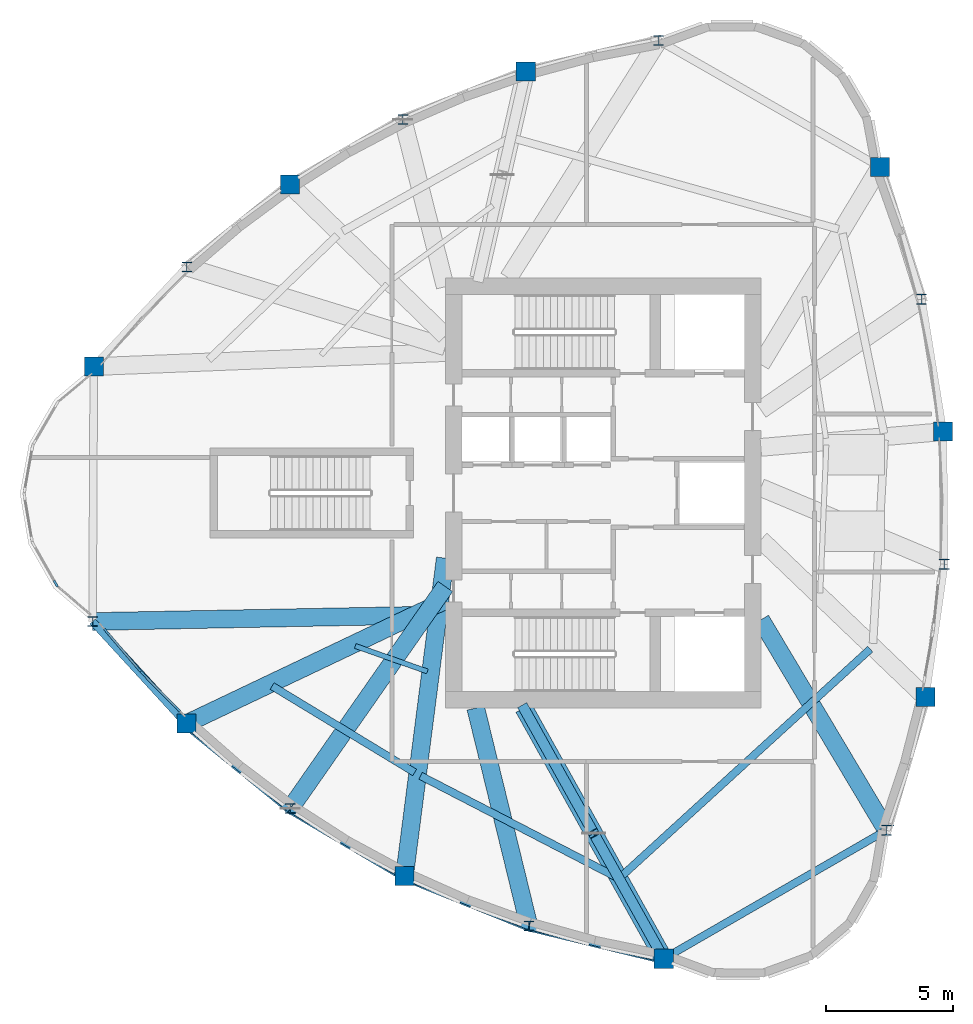
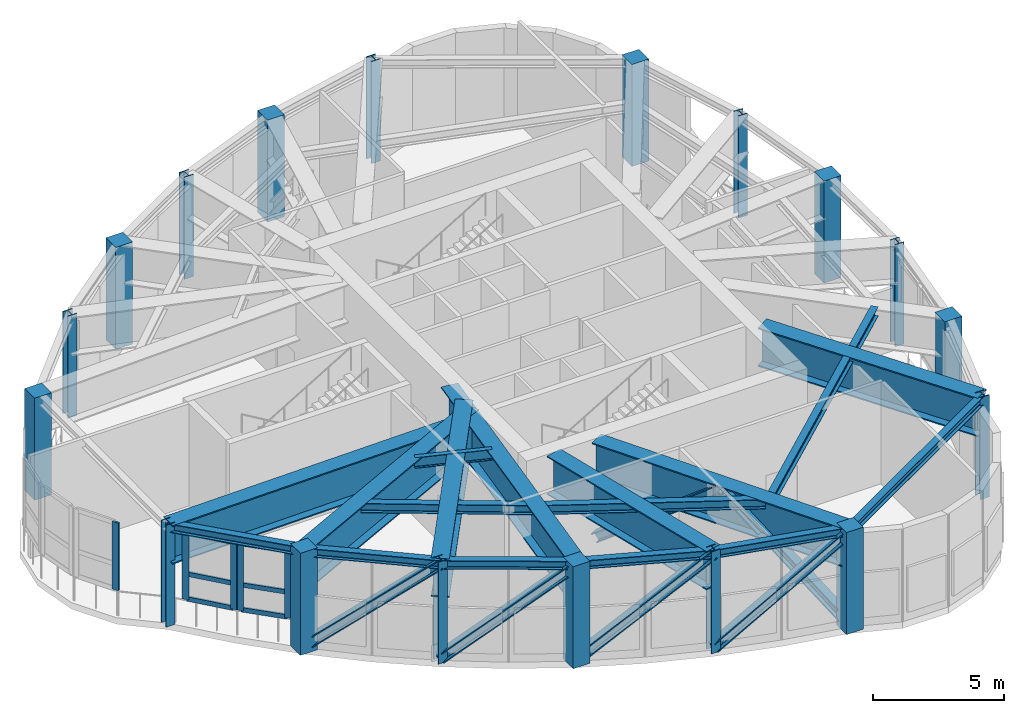
# One storey, part 1 of 10: 18 columns, 17 beams, 17 members, 3 elements without a shape of their own.
"""IFC4 building model written with IfcOpenShell, lengths in metres."""

from ifc_helpers import new_model, si_unit, direction, frame, origin, origin_2d, place, context, subcontext, project, spatial, rectangle, i_section, extrude, source, transform, mapped, material, layer, layer_set, material_profile, profile_set, type_object, element, aggregate, save


model = new_model("IFC4")

# Units and contexts
model_context = context("Model", 3, precision=1e-05, world=origin(), true_north=direction((0.0, 1.0)))
body_context = subcontext(model_context, "Body", "Model", "MODEL_VIEW")
ifc_project = project(units=[si_unit("LENGTHUNIT", "METRE"), si_unit("AREAUNIT", "SQUARE_METRE"), si_unit("VOLUMEUNIT", "CUBIC_METRE"), si_unit("PLANEANGLEUNIT", "RADIAN"), si_unit("MASSUNIT", "GRAM", prefix="KILO")], contexts=[model_context])

# Site, building, storey
site_placement = place(None, origin())
site = spatial("IfcSite", under=ifc_project, at=site_placement, CompositionType="ELEMENT")
building_placement = place(site_placement, origin())
building = spatial("IfcBuilding", under=site, at=building_placement, Name="Qafzar Sky-Pleat Residences", CompositionType="ELEMENT")
storey_placement = place(building_placement, frame((0.0, 0.0, 190.60009765625)))
storey = spatial("IfcBuildingStorey", under=building, at=storey_placement, Name="L57", CompositionType="ELEMENT", Elevation=190.60009765625)

# Columns
ifc_material_1 = material(Name="Concrete C60/75", Category="concrete")
ifc_material_profile_1 = material_profile(ifc_material_1, rectangle(XDim=0.75, YDim=0.75, at=origin_2d()), Name="RC 750x750")
ifc_profile_set_1 = profile_set([ifc_material_profile_1], Name="Concrete C60/75")
column_type_1 = type_object("IfcColumnType", Name="COL-RC-750", PredefinedType="COLUMN", material=ifc_profile_set_1)
shared_shape_1 = source(origin(), body_context, "Body", "SweptSolid", [
    extrude(rectangle(XDim=0.75, YDim=0.75, at=origin_2d()), origin(), (0.0, 0.0, 1.0), 4.760009765625),
])
for number, where, z_axis, x_axis, name in (
    (1, (10.338134765625, 30.967041015625, 0.0), (0.0, 0.0, 1.0), (1.0, 0.0, 0.0), "L57 Perimeter Mega Column 1"),
    (2, (13.97265625, 16.934814453125, 0.0), (0.0, 0.0, 1.0), (1.0, 0.0, 0.0), "L57 Perimeter Mega Column 3"),
    (3, (22.547607421875, 10.951904296875, 0.0), (0.0, 0.0, 1.0), (1.0, 0.0, 0.0), "L57 Perimeter Mega Column 5"),
    (4, (32.734130859375, 7.698486328125, 0.0), (0.0, 0.0, 1.0), (1.0, 0.0, 0.0), "L57 Perimeter Mega Column 7"),
    (5, (43.0166015625, 17.977294921875, 0.0), (0.0, 0.0, 1.0), (1.0, 0.0, 0.0), "L57 Perimeter Mega Column 9"),
    (6, (43.70751953125, 28.410400390625, 0.0), (0.0, 0.0, 1.0), (1.0, 0.0, 0.0), "L57 Perimeter Mega Column 11"),
    (7, (41.22900390625, 38.8125, 0.0), (0.0, 0.0, 1.0), (1.0, 0.0, 0.0), "L57 Perimeter Mega Column 13"),
    (8, (27.312255859375, 42.56591796875, 0.0), (0.0, 0.0, 1.0), (1.0, 0.0, 0.0), "L57 Perimeter Mega Column 15"),
    (9, (18.046142578125, 38.11572265625, 0.0), (0.0, 0.0, 1.0), (1.0, 0.0, 0.0), "L57 Perimeter Mega Column 17"),
):
    element("IfcColumn", number, at=place(storey_placement, frame(where, z_axis=z_axis, x_axis=x_axis)), inside=storey, type_object=column_type_1, Name=name, PredefinedType="COLUMN", context=body_context, shape_type="MappedRepresentation", body=[
        mapped(shared_shape_1, transform((0.0, 0.0, 0.0), x_axis=(1.0, 0.0, 0.0), y_axis=(0.0, 1.0, 0.0), z_axis=(0.0, 0.0, 1.0), scale=1.0)),
    ])
ifc_material_2 = material(Name="Steel S355", Category="steel")
ifc_material_profile_2 = material_profile(ifc_material_2, i_section(OverallWidth=0.40087890625, OverallDepth=0.39892578125, WebThickness=0.02294921875, FlangeThickness=0.035888671875, FilletRadius=0.014892578125, at=origin_2d()), Name="HD 400x314")
ifc_profile_set_2 = profile_set([ifc_material_profile_2], Name="Steel S355")
column_type_2 = type_object("IfcColumnType", Name="COL-STL-HD314", PredefinedType="PILASTER", material=ifc_profile_set_2)
shared_shape_2 = source(origin(), body_context, "Body", "SweptSolid", [
    extrude(i_section(OverallWidth=0.40087890625, OverallDepth=0.39892578125, WebThickness=0.02294921875, FlangeThickness=0.035888671875, FilletRadius=0.014892578125, at=origin_2d()), origin(), (0.0, 0.0, 1.0), 4.760009765625),
])
for number, where, z_axis, x_axis, name in (
    (10, (10.289306640625, 20.94970703125, 0.0), (0.0, 0.0, 1.0), (1.0, 0.0, 0.0), "L57 Perimeter Mega Column 2"),
    (11, (18.058837890625, 13.60205078125, 0.0), (0.0, 0.0, 1.0), (1.0, 0.0, 0.0), "L57 Perimeter Mega Column 4"),
    (12, (27.439453125, 8.98388671875, 0.0), (0.0, 0.0, 1.0), (1.0, 0.0, 0.0), "L57 Perimeter Mega Column 6"),
    (13, (41.482666015625, 12.749267578125, 0.0), (0.0, 0.0, 1.0), (1.0, 0.0, 0.0), "L57 Perimeter Mega Column 8"),
    (14, (43.75830078125, 23.19775390625, 0.0), (0.0, 0.0, 1.0), (1.0, 0.0, 0.0), "L57 Perimeter Mega Column 10"),
    (15, (42.864501953125, 33.615478515625, 0.0), (0.0, 0.0, 1.0), (1.0, 0.0, 0.0), "L57 Perimeter Mega Column 12"),
    (16, (32.529296875, 43.779052734375, 0.0), (0.0, 0.0, 1.0), (1.0, 0.0, 0.0), "L57 Perimeter Mega Column 14"),
    (17, (22.484375, 40.677978515625, 0.0), (0.0, 0.0, 1.0), (1.0, 0.0, 0.0), "L57 Perimeter Mega Column 16"),
    (18, (13.997314453125, 34.878662109375, 0.0), (0.0, 0.0, 1.0), (1.0, 0.0, 0.0), "L57 Perimeter Mega Column 18"),
):
    element("IfcColumn", number, at=place(storey_placement, frame(where, z_axis=z_axis, x_axis=x_axis)), inside=storey, type_object=column_type_2, Name=name, PredefinedType="PILASTER", context=body_context, shape_type="MappedRepresentation", body=[
        mapped(shared_shape_2, transform((0.0, 0.0, 0.0), x_axis=(1.0, 0.0, 0.0), y_axis=(0.0, 1.0, 0.0), z_axis=(0.0, 0.0, 1.0), scale=1.0)),
    ])

# Beams
ifc_material_profile_3 = material_profile(ifc_material_2, i_section(OverallWidth=0.300048828125, OverallDepth=0.39990234375, WebThickness=0.013427734375, FlangeThickness=0.02392578125, FilletRadius=0.027099609375, at=origin_2d()), Name="HEB 400")
ifc_profile_set_3 = profile_set([ifc_material_profile_3], Name="Steel S355")
beam_type_1 = type_object("IfcBeamType", Name="BM-SPAN-HEB400", PredefinedType="SPANDREL", material=ifc_profile_set_3)
shared_shape_3 = source(origin(), body_context, "Body", "SweptSolid", [
    extrude(i_section(OverallWidth=0.300048828125, OverallDepth=0.39990234375, WebThickness=0.013427734375, FlangeThickness=0.02392578125, FilletRadius=0.027099609375, at=origin_2d()), origin(), (0.0, 0.0, 1.0), 5.448486328125),
])
for number, where, z_axis, x_axis, name in (
    (19, (10.289306640625, 20.94970703125, 4.557861328125), (0.67602690272, -0.736876941422, 0.0), (0.736876941422, 0.67602690272, 0.0), "L57 Perimeter Spandrel Beam 2"),
    (20, (27.439453125, 8.98388671875, 4.557861328125), (0.971772638207, -0.235919349848, 0.0), (0.235919349848, 0.971772638207, 0.0), "L57 Perimeter Spandrel Beam 6"),
):
    element("IfcBeam", number, at=place(storey_placement, frame(where, z_axis=z_axis, x_axis=x_axis)), inside=storey, type_object=beam_type_1, Name=name, PredefinedType="SPANDREL", context=body_context, shape_type="MappedRepresentation", body=[
        mapped(shared_shape_3, transform((0.0, 0.0, 0.0), x_axis=(1.0, 0.0, 0.0), y_axis=(0.0, 1.0, 0.0), z_axis=(0.0, 0.0, 1.0), scale=1.0)),
    ])
shared_shape_4 = source(origin(), body_context, "Body", "SweptSolid", [
    extrude(i_section(OverallWidth=0.300048828125, OverallDepth=0.39990234375, WebThickness=0.013427734375, FlangeThickness=0.02392578125, FilletRadius=0.027099609375, at=origin_2d()), origin(), (0.0, 0.0, 1.0), 5.27294921875),
])
for number, where, z_axis, x_axis, name in (
    (21, (13.97265625, 16.934814453125, 4.557861328125), (0.774930068273, -0.632046983449, 0.0), (0.632046983449, 0.774930068273, 0.0), "L57 Perimeter Spandrel Beam 3"),
    (22, (22.547607421875, 10.951904296875, 4.557861328125), (0.927737233532, -0.373234009058, 0.0), (0.373234009058, 0.927737233532, 0.0), "L57 Perimeter Spandrel Beam 5"),
):
    element("IfcBeam", number, at=place(storey_placement, frame(where, z_axis=z_axis, x_axis=x_axis)), inside=storey, type_object=beam_type_1, Name=name, PredefinedType="SPANDREL", context=body_context, shape_type="MappedRepresentation", body=[
        mapped(shared_shape_4, transform((0.0, 0.0, 0.0), x_axis=(1.0, 0.0, 0.0), y_axis=(0.0, 1.0, 0.0), z_axis=(0.0, 0.0, 1.0), scale=1.0)),
    ])
shared_shape_5 = source(origin(), body_context, "Body", "SweptSolid", [
    extrude(i_section(OverallWidth=0.300048828125, OverallDepth=0.39990234375, WebThickness=0.013427734375, FlangeThickness=0.02392578125, FilletRadius=0.027099609375, at=origin_2d()), origin(), (0.0, 0.0, 1.0), 5.212646484375),
])
beam_1_placement = place(storey_placement, frame((18.058837890625, 13.60205078125, 4.557861328125), z_axis=(0.861120406877, -0.508401066934, 0.0), x_axis=(0.508401066934, 0.861120406877, 0.0)))
element("IfcBeam", 23, at=beam_1_placement, inside=storey, type_object=beam_type_1, Name="L57 Perimeter Spandrel Beam 4", PredefinedType="SPANDREL", context=body_context, shape_type="MappedRepresentation", body=[
    mapped(shared_shape_5, transform((0.0, 0.0, 0.0), x_axis=(1.0, 0.0, 0.0), y_axis=(0.0, 1.0, 0.0), z_axis=(0.0, 0.0, 1.0), scale=1.0)),
])
shared_shape_6 = source(origin(), body_context, "Body", "SweptSolid", [
    extrude(i_section(OverallWidth=0.300048828125, OverallDepth=0.39990234375, WebThickness=0.013427734375, FlangeThickness=0.02392578125, FilletRadius=0.027099609375, at=origin_2d()), origin(), (0.0, 0.0, 1.0), 10.101806640625),
])
beam_2_placement = place(storey_placement, frame((32.734130859375, 7.698486328125, 4.557861328125), z_axis=(0.866033456987, 0.499986051185, 0.0), x_axis=(-0.499986051185, 0.866033456987, 0.0)))
element("IfcBeam", 24, at=beam_2_placement, inside=storey, type_object=beam_type_1, Name="L57 Perimeter Spandrel Beam 7", PredefinedType="SPANDREL", context=body_context, shape_type="MappedRepresentation", body=[
    mapped(shared_shape_6, transform((0.0, 0.0, 0.0), x_axis=(1.0, 0.0, 0.0), y_axis=(0.0, 1.0, 0.0), z_axis=(0.0, 0.0, 1.0), scale=1.0)),
])
ifc_material_3 = material(Name="Steel S460", Category="steel")
ifc_material_profile_4 = material_profile(ifc_material_3, i_section(OverallWidth=0.699951171875, OverallDepth=1.800048828125, WebThickness=0.035888671875, FlangeThickness=0.054931640625, at=origin_2d()), Name="PG 1800x700x55")
ifc_profile_set_4 = profile_set([ifc_material_profile_4], Name="Steel S460")
beam_type_2 = type_object("IfcBeamType", Name="BM-XFER-PG1800", PredefinedType="BEAM", material=ifc_profile_set_4)
shared_shape_7 = source(origin(), body_context, "Body", "SweptSolid", [
    extrude(i_section(OverallWidth=0.699951171875, OverallDepth=1.800048828125, WebThickness=0.035888671875, FlangeThickness=0.054931640625, at=origin_2d()), origin(), (0.0, 0.0, 1.0), 13.863037109375),
])
beam_3_placement = place(storey_placement, frame((10.289306640625, 20.94970703125, 3.85791015625), z_axis=(0.999820446499, 0.018949268146, 0.0), x_axis=(-0.018949268146, 0.999820446499, 0.0)))
element("IfcBeam", 25, at=beam_3_placement, inside=storey, type_object=beam_type_2, Name="L58 Setback Transfer Girder 2", PredefinedType="BEAM", context=body_context, shape_type="MappedRepresentation", body=[
    mapped(shared_shape_7, transform((0.0, 0.0, 0.0), x_axis=(1.0, 0.0, 0.0), y_axis=(0.0, 1.0, 0.0), z_axis=(0.0, 0.0, 1.0), scale=1.0)),
])
shared_shape_8 = source(origin(), body_context, "Body", "SweptSolid", [
    extrude(i_section(OverallWidth=0.699951171875, OverallDepth=1.800048828125, WebThickness=0.035888671875, FlangeThickness=0.054931640625, at=origin_2d()), origin(), (0.0, 0.0, 1.0), 11.270263671875),
])
beam_4_placement = place(storey_placement, frame((13.97265625, 16.934814453125, 3.85791015625), z_axis=(0.903015820013, 0.429607296035, 0.0), x_axis=(-0.429607296035, 0.903015820013, 0.0)))
element("IfcBeam", 26, at=beam_4_placement, inside=storey, type_object=beam_type_2, Name="L58 Setback Transfer Girder 3", PredefinedType="BEAM", context=body_context, shape_type="MappedRepresentation", body=[
    mapped(shared_shape_8, transform((0.0, 0.0, 0.0), x_axis=(1.0, 0.0, 0.0), y_axis=(0.0, 1.0, 0.0), z_axis=(0.0, 0.0, 1.0), scale=1.0)),
])
shared_shape_9 = source(origin(), body_context, "Body", "SweptSolid", [
    extrude(i_section(OverallWidth=0.699951171875, OverallDepth=1.800048828125, WebThickness=0.035888671875, FlangeThickness=0.054931640625, at=origin_2d()), origin(), (0.0, 0.0, 1.0), 10.638427734375),
])
beam_5_placement = place(storey_placement, frame((18.058837890625, 13.60205078125, 3.85791015625), z_axis=(0.572550196998, 0.819869667641, 0.0), x_axis=(-0.819869667641, 0.572550196998, 0.0)))
element("IfcBeam", 27, at=beam_5_placement, inside=storey, type_object=beam_type_2, Name="L58 Setback Transfer Girder 4", PredefinedType="BEAM", context=body_context, shape_type="MappedRepresentation", body=[
    mapped(shared_shape_9, transform((0.0, 0.0, 0.0), x_axis=(1.0, 0.0, 0.0), y_axis=(0.0, 1.0, 0.0), z_axis=(0.0, 0.0, 1.0), scale=1.0)),
])
shared_shape_10 = source(origin(), body_context, "Body", "SweptSolid", [
    extrude(i_section(OverallWidth=0.699951171875, OverallDepth=1.800048828125, WebThickness=0.035888671875, FlangeThickness=0.054931640625, at=origin_2d()), origin(), (0.0, 0.0, 1.0), 12.58837890625),
])
beam_6_placement = place(storey_placement, frame((22.547607421875, 10.951904296875, 3.85791015625), z_axis=(0.127282711207, 0.991866478629, 0.0), x_axis=(-0.991866478629, 0.127282711207, 0.0)))
element("IfcBeam", 28, at=beam_6_placement, inside=storey, type_object=beam_type_2, Name="L58 Setback Transfer Girder 5", PredefinedType="BEAM", context=body_context, shape_type="MappedRepresentation", body=[
    mapped(shared_shape_10, transform((0.0, 0.0, 0.0), x_axis=(1.0, 0.0, 0.0), y_axis=(0.0, 1.0, 0.0), z_axis=(0.0, 0.0, 1.0), scale=1.0)),
])
shared_shape_11 = source(origin(), body_context, "Body", "SweptSolid", [
    extrude(i_section(OverallWidth=0.699951171875, OverallDepth=1.800048828125, WebThickness=0.035888671875, FlangeThickness=0.054931640625, at=origin_2d()), origin(), (0.0, 0.0, 1.0), 8.818115234375),
])
beam_7_placement = place(storey_placement, frame((27.439453125, 8.98388671875, 3.85791015625), z_axis=(-0.237327106708, 0.971429793872, 0.0), x_axis=(-0.971429793872, -0.237327106708, 0.0)))
element("IfcBeam", 29, at=beam_7_placement, inside=storey, type_object=beam_type_2, Name="L58 Setback Transfer Girder 6", PredefinedType="BEAM", context=body_context, shape_type="MappedRepresentation", body=[
    mapped(shared_shape_11, transform((0.0, 0.0, 0.0), x_axis=(1.0, 0.0, 0.0), y_axis=(0.0, 1.0, 0.0), z_axis=(0.0, 0.0, 1.0), scale=1.0)),
])
shared_shape_12 = source(origin(), body_context, "Body", "SweptSolid", [
    extrude(i_section(OverallWidth=0.699951171875, OverallDepth=1.800048828125, WebThickness=0.035888671875, FlangeThickness=0.054931640625, at=origin_2d()), origin(), (0.0, 0.0, 1.0), 11.283447265625),
])
beam_8_placement = place(storey_placement, frame((32.734130859375, 7.698486328125, 3.85791015625), z_axis=(-0.487546855822, 0.873096823598, 0.0), x_axis=(-0.873096823598, -0.487546855822, 0.0)))
element("IfcBeam", 30, at=beam_8_placement, inside=storey, type_object=beam_type_2, Name="L58 Setback Transfer Girder 7", PredefinedType="BEAM", context=body_context, shape_type="MappedRepresentation", body=[
    mapped(shared_shape_12, transform((0.0, 0.0, 0.0), x_axis=(1.0, 0.0, 0.0), y_axis=(0.0, 1.0, 0.0), z_axis=(0.0, 0.0, 1.0), scale=1.0)),
])
shared_shape_13 = source(origin(), body_context, "Body", "SweptSolid", [
    extrude(i_section(OverallWidth=0.699951171875, OverallDepth=1.800048828125, WebThickness=0.035888671875, FlangeThickness=0.054931640625, at=origin_2d()), origin(), (0.0, 0.0, 1.0), 9.6279296875),
])
beam_9_placement = place(storey_placement, frame((41.482666015625, 12.749267578125, 3.85791015625), z_axis=(-0.512327519111, 0.858790145007, 0.0), x_axis=(-0.858790145007, -0.512327519111, 0.0)))
element("IfcBeam", 31, at=beam_9_placement, inside=storey, type_object=beam_type_2, Name="L58 Setback Transfer Girder 8", PredefinedType="BEAM", context=body_context, shape_type="MappedRepresentation", body=[
    mapped(shared_shape_13, transform((0.0, 0.0, 0.0), x_axis=(1.0, 0.0, 0.0), y_axis=(0.0, 1.0, 0.0), z_axis=(0.0, 0.0, 1.0), scale=1.0)),
])
ifc_material_profile_5 = material_profile(ifc_material_2, i_section(OverallWidth=0.300048828125, OverallDepth=0.43994140625, WebThickness=0.011474609375, FlangeThickness=0.02099609375, FilletRadius=0.027099609375, at=origin_2d()), Name="HEA 450")
ifc_profile_set_5 = profile_set([ifc_material_profile_5], Name="Steel S355")
beam_type_3 = type_object("IfcBeamType", Name="BM-PLT-HEA450", PredefinedType="BEAM", material=ifc_profile_set_5)
shared_shape_14 = source(origin(), body_context, "Body", "SweptSolid", [
    extrude(i_section(OverallWidth=0.300048828125, OverallDepth=0.43994140625, WebThickness=0.011474609375, FlangeThickness=0.02099609375, FilletRadius=0.027099609375, at=origin_2d()), origin(), (0.0, 0.0, 1.0), 6.549560546875),
])
beam_10_placement = place(storey_placement, frame((17.344970703125, 18.4140625, 4.537841796875), z_axis=(0.855029557781, -0.518579266189, 0.0), x_axis=(0.518579266189, 0.855029557781, 0.0)))
element("IfcBeam", 32, at=beam_10_placement, inside=storey, type_object=beam_type_3, Name="L57 Outer Secondary Floor Joist 2", PredefinedType="BEAM", context=body_context, shape_type="MappedRepresentation", body=[
    mapped(shared_shape_14, transform((0.0, 0.0, 0.0), x_axis=(1.0, 0.0, 0.0), y_axis=(0.0, 1.0, 0.0), z_axis=(0.0, 0.0, 1.0), scale=1.0)),
])
shared_shape_15 = source(origin(), body_context, "Body", "SweptSolid", [
    extrude(i_section(OverallWidth=0.300048828125, OverallDepth=0.43994140625, WebThickness=0.011474609375, FlangeThickness=0.02099609375, FilletRadius=0.027099609375, at=origin_2d()), origin(), (0.0, 0.0, 1.0), 8.640625),
])
beam_11_placement = place(storey_placement, frame((23.180419921875, 14.885498046875, 4.537841796875), z_axis=(0.888054975428, -0.459737273471, 0.0), x_axis=(0.459737273471, 0.888054975428, 0.0)))
element("IfcBeam", 33, at=beam_11_placement, inside=storey, type_object=beam_type_3, Name="L57 Outer Secondary Floor Joist 3", PredefinedType="BEAM", context=body_context, shape_type="MappedRepresentation", body=[
    mapped(shared_shape_15, transform((0.0, 0.0, 0.0), x_axis=(1.0, 0.0, 0.0), y_axis=(0.0, 1.0, 0.0), z_axis=(0.0, 0.0, 1.0), scale=1.0)),
])
shared_shape_16 = source(origin(), body_context, "Body", "SweptSolid", [
    extrude(i_section(OverallWidth=0.300048828125, OverallDepth=0.43994140625, WebThickness=0.011474609375, FlangeThickness=0.02099609375, FilletRadius=0.027099609375, at=origin_2d()), origin(), (0.0, 0.0, 1.0), 13.23486328125),
])
beam_12_placement = place(storey_placement, frame((31.073486328125, 10.94189453125, 4.537841796875), z_axis=(0.73849268237, 0.674261490882, 0.0), x_axis=(-0.674261490882, 0.73849268237, 0.0)))
element("IfcBeam", 34, at=beam_12_placement, inside=storey, type_object=beam_type_3, Name="L57 Outer Secondary Floor Joist 4", PredefinedType="BEAM", context=body_context, shape_type="MappedRepresentation", body=[
    mapped(shared_shape_16, transform((0.0, 0.0, 0.0), x_axis=(1.0, 0.0, 0.0), y_axis=(0.0, 1.0, 0.0), z_axis=(0.0, 0.0, 1.0), scale=1.0)),
])
ifc_material_profile_6 = material_profile(ifc_material_2, i_section(OverallWidth=0.199951171875, OverallDepth=0.5, WebThickness=0.01025390625, FlangeThickness=0.01611328125, FilletRadius=0.02099609375, at=origin_2d()), Name="IPE 500")
ifc_profile_set_6 = profile_set([ifc_material_profile_6], Name="Steel S355")
beam_type_4 = type_object("IfcBeamType", Name="BM-SEC-IPE500", PredefinedType="BEAM", material=ifc_profile_set_6)
shared_shape_17 = source(origin(), body_context, "Body", "SweptSolid", [
    extrude(i_section(OverallWidth=0.199951171875, OverallDepth=0.5, WebThickness=0.01025390625, FlangeThickness=0.01611328125, FilletRadius=0.02099609375, at=origin_2d()), origin(), (0.0, 0.0, 1.0), 3.00390625),
])
beam_13_placement = place(storey_placement, frame((20.613525390625, 19.988525390625, 4.5078125), z_axis=(0.942900268621, -0.333075191863, 0.0), x_axis=(0.333075191863, 0.942900268621, 0.0)))
element("IfcBeam", 35, at=beam_13_placement, inside=storey, type_object=beam_type_4, Name="L57 Inner Secondary Floor Joist 2", PredefinedType="BEAM", context=body_context, shape_type="MappedRepresentation", body=[
    mapped(shared_shape_17, transform((0.0, 0.0, 0.0), x_axis=(1.0, 0.0, 0.0), y_axis=(0.0, 1.0, 0.0), z_axis=(0.0, 0.0, 1.0), scale=1.0)),
])

# Members
ifc_material_profile_7 = material_profile(ifc_material_3, i_section(OverallWidth=0.406005859375, OverallDepth=0.416015625, WebThickness=0.027099609375, FlangeThickness=0.0439453125, FilletRadius=0.014892578125, at=origin_2d()), Name="HD 400x382")
ifc_profile_set_7 = profile_set([ifc_material_profile_7], Name="Steel S460")
member_type_1 = type_object("IfcMemberType", Name="MEM-BELT-HD382", PredefinedType="BRACE", material=ifc_profile_set_7)
shared_shape_18 = source(origin(), body_context, "Body", "SweptSolid", [
    extrude(i_section(OverallWidth=0.406005859375, OverallDepth=0.416015625, WebThickness=0.027099609375, FlangeThickness=0.0439453125, FilletRadius=0.014892578125, at=origin_2d()), origin(), (0.0, 0.0, 1.0), 6.8740234375),
])
for number, where, z_axis, x_axis, name in (
    (36, (13.97265625, 16.934814453125, 0.14990234375), (0.594442403388, -0.484837978649, 0.641537499695), (0.632046983449, 0.774930068273, 0.0), "L57 Belt Truss Diagonal 3"),
    (37, (22.547607421875, 10.951904296875, 0.14990234375), (0.711654522009, -0.28630269511, 0.641543925291), (0.373234009058, 0.927737233532, 0.0), "L57 Belt Truss Diagonal 5"),
):
    element("IfcMember", number, at=place(storey_placement, frame(where, z_axis=z_axis, x_axis=x_axis)), inside=storey, type_object=member_type_1, Name=name, PredefinedType="BRACE", context=body_context, shape_type="MappedRepresentation", body=[
        mapped(shared_shape_18, transform((0.0, 0.0, 0.0), x_axis=(1.0, 0.0, 0.0), y_axis=(0.0, 1.0, 0.0), z_axis=(0.0, 0.0, 1.0), scale=1.0)),
    ])
shared_shape_19 = source(origin(), body_context, "Body", "SweptSolid", [
    extrude(i_section(OverallWidth=0.406005859375, OverallDepth=0.416015625, WebThickness=0.027099609375, FlangeThickness=0.0439453125, FilletRadius=0.014892578125, at=origin_2d()), origin(), (0.0, 0.0, 1.0), 6.827880859375),
])
member_1_placement = place(storey_placement, frame((18.058837890625, 13.60205078125, 0.14990234375), z_axis=(0.65741981375, -0.38813728262, 0.645870450113), x_axis=(0.508401066934, 0.861120406877, 0.0)))
element("IfcMember", 38, at=member_1_placement, inside=storey, type_object=member_type_1, Name="L57 Belt Truss Diagonal 4", PredefinedType="BRACE", context=body_context, shape_type="MappedRepresentation", body=[
    mapped(shared_shape_19, transform((0.0, 0.0, 0.0), x_axis=(1.0, 0.0, 0.0), y_axis=(0.0, 1.0, 0.0), z_axis=(0.0, 0.0, 1.0), scale=1.0)),
])
shared_shape_20 = source(origin(), body_context, "Body", "SweptSolid", [
    extrude(i_section(OverallWidth=0.406005859375, OverallDepth=0.416015625, WebThickness=0.027099609375, FlangeThickness=0.0439453125, FilletRadius=0.014892578125, at=origin_2d()), origin(), (0.0, 0.0, 1.0), 7.009521484375),
])
member_2_placement = place(storey_placement, frame((27.439453125, 8.98388671875, 0.14990234375), z_axis=(0.755356628916, -0.183379566157, 0.629132973122), x_axis=(0.235919349848, 0.971772638207, 0.0)))
element("IfcMember", 39, at=member_2_placement, inside=storey, type_object=member_type_1, Name="L57 Belt Truss Diagonal 6", PredefinedType="BRACE", context=body_context, shape_type="MappedRepresentation", body=[
    mapped(shared_shape_20, transform((0.0, 0.0, 0.0), x_axis=(1.0, 0.0, 0.0), y_axis=(0.0, 1.0, 0.0), z_axis=(0.0, 0.0, 1.0), scale=1.0)),
])
ifc_material_profile_8 = material_profile(ifc_material_3, i_section(OverallWidth=0.408935546875, OverallDepth=0.425048828125, WebThickness=0.030029296875, FlangeThickness=0.048095703125, FilletRadius=0.014892578125, at=origin_2d()), Name="HD 400x421")
ifc_profile_set_8 = profile_set([ifc_material_profile_8], Name="Steel S460")
member_type_2 = type_object("IfcMemberType", Name="MEM-OUT-HD421", PredefinedType="BRACE", material=ifc_profile_set_8)
shared_shape_21 = source(origin(), body_context, "Body", "SweptSolid", [
    extrude(i_section(OverallWidth=0.408935546875, OverallDepth=0.425048828125, WebThickness=0.030029296875, FlangeThickness=0.048095703125, FilletRadius=0.014892578125, at=origin_2d()), origin(), (0.0, 0.0, 1.0), 7.099609375),
])
member_3_placement = place(storey_placement, frame((27.23291015625, 17.550048828125, 0.199951171875), z_axis=(0.387411499589, -0.693805646698, 0.607079940861), x_axis=(0.873106033889, 0.487530361707, 0.0)))
element("IfcMember", 40, at=member_3_placement, inside=storey, type_object=member_type_2, Name="L57 Outrigger Truss Diagonal 4A", PredefinedType="BRACE", context=body_context, shape_type="MappedRepresentation", body=[
    mapped(shared_shape_21, transform((0.0, 0.0, 0.0), x_axis=(1.0, 0.0, 0.0), y_axis=(0.0, 1.0, 0.0), z_axis=(0.0, 0.0, 1.0), scale=1.0)),
])
shared_shape_22 = source(origin(), body_context, "Body", "SweptSolid", [
    extrude(i_section(OverallWidth=0.408935546875, OverallDepth=0.425048828125, WebThickness=0.030029296875, FlangeThickness=0.048095703125, FilletRadius=0.014892578125, at=origin_2d()), origin(), (0.0, 0.0, 1.0), 7.099853515625),
])
member_4_placement = place(storey_placement, frame((29.9833984375, 12.624267578125, 4.510009765625), z_axis=(0.38744072551, -0.69379640347, -0.607071853036), x_axis=(0.87308761319, 0.487563349416, 0.0)))
element("IfcMember", 41, at=member_4_placement, inside=storey, type_object=member_type_2, Name="L57 Outrigger Truss Diagonal 4B", PredefinedType="BRACE", context=body_context, shape_type="MappedRepresentation", body=[
    mapped(shared_shape_22, transform((0.0, 0.0, 0.0), x_axis=(1.0, 0.0, 0.0), y_axis=(0.0, 1.0, 0.0), z_axis=(0.0, 0.0, 1.0), scale=1.0)),
])

# Curtain wall, member
ifc_material_4 = material(Name="Anodised bronze aluminium framing", Category="aluminium")
ifc_layer = layer(ifc_material_4, 0.280029296875)
ifc_layer_set = layer_set([ifc_layer], Name="Anodised bronze aluminium framing")
curtain_wall_type = type_object("IfcCurtainWallType", Name="CW-SYS-05", PredefinedType="NOTDEFINED", material=ifc_layer_set)
curtain_wall_1_placement = place(storey_placement, origin())
curtain_wall_1 = element("IfcCurtainWall", 42, at=curtain_wall_1_placement, inside=storey, type_object=curtain_wall_type, Name="L57 CW-05 Curtain Wall CW-L57-SLOT-04", PredefinedType="NOTDEFINED")
ifc_material_5 = material(Name="Anodised bronze aluminium", Category="aluminium")
ifc_material_profile_9 = material_profile(ifc_material_5, rectangle(XDim=0.0849609375, YDim=0.280029296875, at=origin_2d()), Name="ALU MULLION 85x280")
ifc_profile_set_9 = profile_set([ifc_material_profile_9], Name="Anodised bronze aluminium")
member_type_3 = type_object("IfcMemberType", Name="CWM-05", PredefinedType="MULLION", material=ifc_profile_set_9)
shared_shape_23 = source(origin(), body_context, "Body", "SweptSolid", [
    extrude(rectangle(XDim=0.0849609375, YDim=0.280029296875, at=origin_2d()), origin(), (0.0, 0.0, 1.0), 3.159912109375),
])
member_5_placement = place(storey_placement, frame((8.84375, 22.4375, 1.179931640625), z_axis=(0.0, 0.0, 1.0), x_axis=(0.869630572407, 0.493703015522, 0.0)))
member_5 = element("IfcMember", 43, at=member_5_placement, type_object=member_type_3, Name="CW-05 mullion 2", PredefinedType="MULLION", context=body_context, shape_type="MappedRepresentation", body=[
    mapped(shared_shape_23, transform((0.0, 0.0, 0.0), x_axis=(1.0, 0.0, 0.0), y_axis=(0.0, 1.0, 0.0), z_axis=(0.0, 0.0, 1.0), scale=1.0)),
])
aggregate(curtain_wall_1, [member_5])

# Curtain wall, members
curtain_wall_2_placement = place(storey_placement, origin())
curtain_wall_2 = element("IfcCurtainWall", 44, at=curtain_wall_2_placement, inside=storey, type_object=curtain_wall_type, Name="L57 CW-05 Curtain Wall CW-L57-SLOT-05", PredefinedType="NOTDEFINED")
member_6_placement = place(storey_placement, frame((10.841796875, 20.55029296875, 1.179931640625), z_axis=(0.0, 0.0, 1.0), x_axis=(0.759713325388, 0.65025815122, 0.0)))
member_6 = element("IfcMember", 45, at=member_6_placement, type_object=member_type_3, Name="CW-05 mullion 1", PredefinedType="MULLION", context=body_context, shape_type="MappedRepresentation", body=[
    mapped(shared_shape_23, transform((0.0, 0.0, 0.0), x_axis=(1.0, 0.0, 0.0), y_axis=(0.0, 1.0, 0.0), z_axis=(0.0, 0.0, 1.0), scale=1.0)),
])
member_7_placement = place(storey_placement, frame((12.12255859375, 19.053955078125, 1.179931640625), z_axis=(0.0, 0.0, 1.0), x_axis=(0.759713325388, 0.65025815122, 0.0)))
member_7 = element("IfcMember", 46, at=member_7_placement, type_object=member_type_3, Name="CW-05 mullion 2", PredefinedType="MULLION", context=body_context, shape_type="MappedRepresentation", body=[
    mapped(shared_shape_23, transform((0.0, 0.0, 0.0), x_axis=(1.0, 0.0, 0.0), y_axis=(0.0, 1.0, 0.0), z_axis=(0.0, 0.0, 1.0), scale=1.0)),
])

curtain_wall_3_placement = place(storey_placement, origin())
curtain_wall_3 = element("IfcCurtainWall", 47, at=curtain_wall_3_placement, inside=storey, type_object=curtain_wall_type, Name="L57 CW-05 Curtain Wall CW-L57-SLOT-06", PredefinedType="NOTDEFINED")
member_8_placement = place(storey_placement, frame((12.280517578125, 18.881591796875, 1.179931640625), z_axis=(0.0, 0.0, 1.0), x_axis=(0.712643071548, 0.701526801038, 0.0)))
member_8 = element("IfcMember", 48, at=member_8_placement, type_object=member_type_3, Name="CW-05 mullion 1", PredefinedType="MULLION", context=body_context, shape_type="MappedRepresentation", body=[
    mapped(shared_shape_23, transform((0.0, 0.0, 0.0), x_axis=(1.0, 0.0, 0.0), y_axis=(0.0, 1.0, 0.0), z_axis=(0.0, 0.0, 1.0), scale=1.0)),
])
member_9_placement = place(storey_placement, frame((13.6220703125, 17.51904296875, 1.179931640625), z_axis=(0.0, 0.0, 1.0), x_axis=(0.712643071548, 0.701526801038, 0.0)))
member_9 = element("IfcMember", 49, at=member_9_placement, type_object=member_type_3, Name="CW-05 mullion 2", PredefinedType="MULLION", context=body_context, shape_type="MappedRepresentation", body=[
    mapped(shared_shape_23, transform((0.0, 0.0, 0.0), x_axis=(1.0, 0.0, 0.0), y_axis=(0.0, 1.0, 0.0), z_axis=(0.0, 0.0, 1.0), scale=1.0)),
])

# Member
ifc_material_profile_10 = material_profile(ifc_material_5, rectangle(XDim=0.0849609375, YDim=0.2099609375, at=origin_2d()), Name="ALU TRANSOM 85x210")
ifc_profile_set_10 = profile_set([ifc_material_profile_10], Name="Anodised bronze aluminium")
member_type_4 = type_object("IfcMemberType", Name="CWT-05", PredefinedType="USERDEFINED", material=ifc_profile_set_10)
shared_shape_24 = source(origin(), body_context, "Body", "SweptSolid", [
    extrude(rectangle(XDim=0.0849609375, YDim=0.2099609375, at=origin_2d()), origin(), (0.0, 0.0, 1.0), 1.884765625),
])
member_10_placement = place(storey_placement, frame((10.869384765625, 20.51806640625, 1.222412109375), z_axis=(0.650257839909, -0.759713591846, 0.0), x_axis=(0.759713591846, 0.650257839909, 0.0)))
member_10 = element("IfcMember", 50, at=member_10_placement, type_object=member_type_4, Name="CW-05 transom 1.1", ObjectType="TRANSOM", PredefinedType="USERDEFINED", context=body_context, shape_type="MappedRepresentation", body=[
    mapped(shared_shape_24, transform((0.0, 0.0, 0.0), x_axis=(1.0, 0.0, 0.0), y_axis=(0.0, 1.0, 0.0), z_axis=(0.0, 0.0, 1.0), scale=1.0)),
])

member_11_placement = place(storey_placement, frame((10.869384765625, 20.51806640625, 2.380615234375), z_axis=(0.650257839909, -0.759713591846, 0.0), x_axis=(0.759713591846, 0.650257839909, 0.0)))
member_11 = element("IfcMember", 51, at=member_11_placement, type_object=member_type_4, Name="CW-05 transom 1.2", ObjectType="TRANSOM", PredefinedType="USERDEFINED", context=body_context, shape_type="MappedRepresentation", body=[
    mapped(shared_shape_24, transform((0.0, 0.0, 0.0), x_axis=(1.0, 0.0, 0.0), y_axis=(0.0, 1.0, 0.0), z_axis=(0.0, 0.0, 1.0), scale=1.0)),
])

member_12_placement = place(storey_placement, frame((10.869384765625, 20.51806640625, 4.29736328125), z_axis=(0.650257839909, -0.759713591846, 0.0), x_axis=(0.759713591846, 0.650257839909, 0.0)))
member_12 = element("IfcMember", 52, at=member_12_placement, type_object=member_type_4, Name="CW-05 transom 1.3", ObjectType="TRANSOM", PredefinedType="USERDEFINED", context=body_context, shape_type="MappedRepresentation", body=[
    mapped(shared_shape_24, transform((0.0, 0.0, 0.0), x_axis=(1.0, 0.0, 0.0), y_axis=(0.0, 1.0, 0.0), z_axis=(0.0, 0.0, 1.0), scale=1.0)),
])

aggregate(curtain_wall_2, [member_6, member_7, member_10, member_11, member_12])

shared_shape_25 = source(origin(), body_context, "Body", "SweptSolid", [
    extrude(rectangle(XDim=0.0849609375, YDim=0.2099609375, at=origin_2d()), origin(), (0.0, 0.0, 1.0), 1.8271484375),
])
member_13_placement = place(storey_placement, frame((12.310546875, 18.851318359375, 1.222412109375), z_axis=(0.701539532507, -0.712630538449, 0.0), x_axis=(0.712630538449, 0.701539532507, 0.0)))
member_13 = element("IfcMember", 53, at=member_13_placement, type_object=member_type_4, Name="CW-05 transom 1.1", ObjectType="TRANSOM", PredefinedType="USERDEFINED", context=body_context, shape_type="MappedRepresentation", body=[
    mapped(shared_shape_25, transform((0.0, 0.0, 0.0), x_axis=(1.0, 0.0, 0.0), y_axis=(0.0, 1.0, 0.0), z_axis=(0.0, 0.0, 1.0), scale=1.0)),
])

member_14_placement = place(storey_placement, frame((12.310546875, 18.851318359375, 2.380615234375), z_axis=(0.701539532507, -0.712630538449, 0.0), x_axis=(0.712630538449, 0.701539532507, 0.0)))
member_14 = element("IfcMember", 54, at=member_14_placement, type_object=member_type_4, Name="CW-05 transom 1.2", ObjectType="TRANSOM", PredefinedType="USERDEFINED", context=body_context, shape_type="MappedRepresentation", body=[
    mapped(shared_shape_25, transform((0.0, 0.0, 0.0), x_axis=(1.0, 0.0, 0.0), y_axis=(0.0, 1.0, 0.0), z_axis=(0.0, 0.0, 1.0), scale=1.0)),
])

member_15_placement = place(storey_placement, frame((12.310546875, 18.851318359375, 4.29736328125), z_axis=(0.701539532507, -0.712630538449, 0.0), x_axis=(0.712630538449, 0.701539532507, 0.0)))
member_15 = element("IfcMember", 55, at=member_15_placement, type_object=member_type_4, Name="CW-05 transom 1.3", ObjectType="TRANSOM", PredefinedType="USERDEFINED", context=body_context, shape_type="MappedRepresentation", body=[
    mapped(shared_shape_25, transform((0.0, 0.0, 0.0), x_axis=(1.0, 0.0, 0.0), y_axis=(0.0, 1.0, 0.0), z_axis=(0.0, 0.0, 1.0), scale=1.0)),
])

aggregate(curtain_wall_3, [member_8, member_9, member_13, member_14, member_15])

save(model, "model.ifc")
